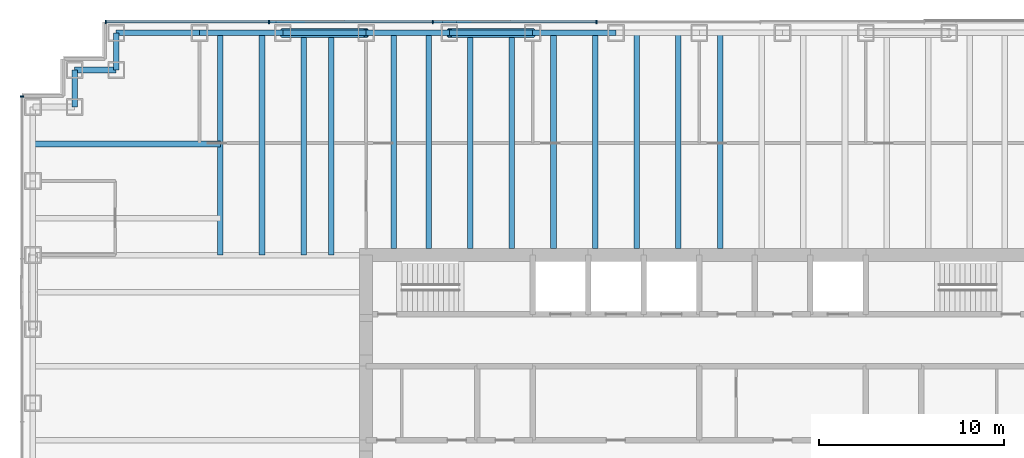
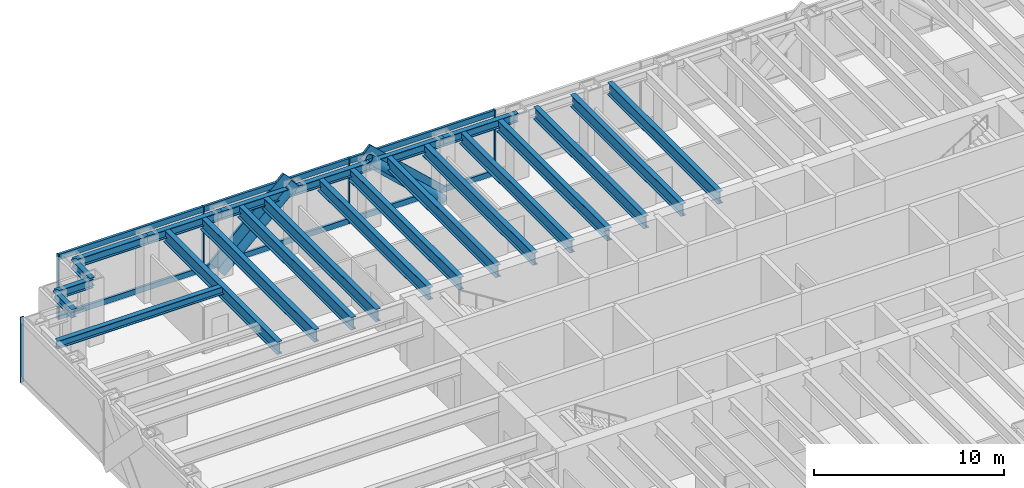
# One storey, part 6 of 17: 23 beams, 15 members, 2 elements without a shape of their own.
"""IFC4 building model written with IfcOpenShell, lengths in metres."""

from ifc_helpers import new_model, si_unit, direction, frame, origin, origin_2d, place, context, subcontext, project, spatial, rectangle, hollow_circle, i_section, extrude, material, material_profile, profile_set, type_object, element, aggregate, save


model = new_model("IFC4")

# Units and contexts
model_context = context("Model", 3, precision=1e-05, world=origin(), true_north=direction((0.0, 1.0)))
body_context = subcontext(model_context, "Body", "Model", "MODEL_VIEW")
ifc_project = project(units=[si_unit("LENGTHUNIT", "METRE"), si_unit("AREAUNIT", "SQUARE_METRE"), si_unit("VOLUMEUNIT", "CUBIC_METRE"), si_unit("PLANEANGLEUNIT", "RADIAN"), si_unit("MASSUNIT", "GRAM", prefix="KILO")], contexts=[model_context])

# Site, building, storey
site_placement = place(None, origin())
site = spatial("IfcSite", under=ifc_project, at=site_placement, CompositionType="ELEMENT")
building_placement = place(site_placement, origin())
building = spatial("IfcBuilding", under=site, at=building_placement, Name="Rheinbord Bourse Tower", CompositionType="ELEMENT")
storey_placement = place(building_placement, frame((0.0, 0.0, 283.699951171875)))
storey = spatial("IfcBuildingStorey", under=building, at=storey_placement, Name="L64", CompositionType="ELEMENT", Elevation=283.699951171875)

# Curtain wall, members
ifc_material_1 = material(Name="Dark glass and black aluminium", Category="aluminium")
curtain_wall_type = type_object("IfcCurtainWallType", Name="CW3 DARK GLASS CURTAIN WALL", PredefinedType="USERDEFINED", material=ifc_material_1)
curtain_wall_1_placement = place(storey_placement, origin())
curtain_wall_1 = element("IfcCurtainWall", 1, at=curtain_wall_1_placement, inside=storey, type_object=curtain_wall_type, Name="Curtain wall CW3 N L64", ObjectType="UNITISED CURTAIN WALL", PredefinedType="USERDEFINED")
ifc_material_2 = material(Name="Black anodised aluminium", Category="aluminium")
ifc_material_profile_1 = material_profile(ifc_material_2, rectangle(XDim=0.14990234375, YDim=1.10791015625, at=origin_2d()), Name="CW3 DIAGONAL MULLION 1108x150")
ifc_profile_set_1 = profile_set([ifc_material_profile_1], Name="Black anodised aluminium")
member_type_1 = type_object("IfcMemberType", Name="CW3 BLACK DIAGONAL MULLION", PredefinedType="USERDEFINED", material=ifc_profile_set_1)
member_1_placement = place(storey_placement, frame((27.0, 44.60009765625, 0.0), z_axis=(-0.73105922506, 0.0, 0.682314010889), x_axis=(0.0, -1.0, 0.0)))
member_1 = element("IfcMember", 2, at=member_1_placement, type_object=member_type_1, Name="CW3 diagonal mullion b", ObjectType="DIAGONAL MULLION", PredefinedType="USERDEFINED", context=body_context, shape_type="SweptSolid", body=[
    extrude(rectangle(XDim=0.14990234375, YDim=1.10791015625, at=origin_2d()), origin(), (0.0, 0.0, 1.0), 6.155517578125),
])
member_2_placement = place(storey_placement, frame((13.5, 44.60009765625, 0.0), z_axis=(0.73105922506, 0.0, 0.682314010889), x_axis=(0.0, 1.0, 0.0)))
member_2 = element("IfcMember", 3, at=member_2_placement, type_object=member_type_1, Name="CW3 diagonal mullion d", ObjectType="DIAGONAL MULLION", PredefinedType="USERDEFINED", context=body_context, shape_type="SweptSolid", body=[
    extrude(rectangle(XDim=0.14990234375, YDim=1.10791015625, at=origin_2d()), origin(), (0.0, 0.0, 1.0), 6.155517578125),
])
ifc_material_3 = material(Name="Black anodised aluminium", Category="aluminium")
ifc_material_profile_2 = material_profile(ifc_material_3, rectangle(XDim=0.199951171875, YDim=0.06494140625, at=origin_2d()), Name="CW3 MULLION 65x200")
ifc_profile_set_2 = profile_set([ifc_material_profile_2], Name="Black anodised aluminium")
member_type_2 = type_object("IfcMemberType", Name="CW3 BLACK MULLION", PredefinedType="MULLION", material=ifc_profile_set_2)
member_3_placement = place(storey_placement, frame((30.449951171875, 44.60009765625, 0.0), z_axis=(0.0, 0.0, 1.0), x_axis=(0.0, -1.0, 0.0)))
member_3 = element("IfcMember", 4, at=member_3_placement, type_object=member_type_2, Name="CW3 mullion 5", PredefinedType="MULLION", context=body_context, shape_type="SweptSolid", body=[
    extrude(rectangle(XDim=0.199951171875, YDim=0.06494140625, at=origin_2d()), origin(), (0.0, 0.0, 1.0), 4.199951171875),
])
member_4_placement = place(storey_placement, frame((21.60009765625, 44.60009765625, 0.0), z_axis=(0.0, 0.0, 1.0), x_axis=(0.0, -1.0, 0.0)))
member_4 = element("IfcMember", 5, at=member_4_placement, type_object=member_type_2, Name="CW3 mullion 6", PredefinedType="MULLION", context=body_context, shape_type="SweptSolid", body=[
    extrude(rectangle(XDim=0.199951171875, YDim=0.06494140625, at=origin_2d()), origin(), (0.0, 0.0, 1.0), 4.199951171875),
])
member_5_placement = place(storey_placement, frame((12.75, 44.60009765625, 0.0), z_axis=(0.0, 0.0, 1.0), x_axis=(0.0, -1.0, 0.0)))
member_5 = element("IfcMember", 6, at=member_5_placement, type_object=member_type_2, Name="CW3 mullion 7", PredefinedType="MULLION", context=body_context, shape_type="SweptSolid", body=[
    extrude(rectangle(XDim=0.199951171875, YDim=0.06494140625, at=origin_2d()), origin(), (0.0, 0.0, 1.0), 4.199951171875),
])
member_6_placement = place(storey_placement, frame((3.9326171875, 44.60009765625, 0.0), z_axis=(0.0, 0.0, 1.0), x_axis=(0.0, -1.0, 0.0)))
member_6 = element("IfcMember", 7, at=member_6_placement, type_object=member_type_2, Name="CW3 mullion 8", PredefinedType="MULLION", context=body_context, shape_type="SweptSolid", body=[
    extrude(rectangle(XDim=0.199951171875, YDim=0.06494140625, at=origin_2d()), origin(), (0.0, 0.0, 1.0), 4.199951171875),
])

# Curtain wall, member
curtain_wall_2_placement = place(storey_placement, origin())
curtain_wall_2 = element("IfcCurtainWall", 8, at=curtain_wall_2_placement, inside=storey, type_object=curtain_wall_type, Name="Curtain wall CW3 W L64", ObjectType="UNITISED CURTAIN WALL", PredefinedType="USERDEFINED")
member_7_placement = place(storey_placement, frame((-0.60009765625, 40.5673828125, 0.0), z_axis=(0.0, 0.0, 1.0), x_axis=(1.0, 0.0, 0.0)))
member_7 = element("IfcMember", 9, at=member_7_placement, type_object=member_type_2, Name="CW3 mullion 1", PredefinedType="MULLION", context=body_context, shape_type="SweptSolid", body=[
    extrude(rectangle(XDim=0.199951171875, YDim=0.06494140625, at=origin_2d()), origin(), (0.0, 0.0, 1.0), 4.199951171875),
])
aggregate(curtain_wall_2, [member_7])

# Member
ifc_material_4 = material(Name="Black anodised aluminium", Category="aluminium")
ifc_material_profile_3 = material_profile(ifc_material_4, rectangle(XDim=0.14990234375, YDim=0.35009765625, at=origin_2d()), Name="CW3 TRANSOM 350x150")
ifc_profile_set_3 = profile_set([ifc_material_profile_3], Name="Black anodised aluminium")
member_type_3 = type_object("IfcMemberType", Name="CW3 BLACK TRANSOM", PredefinedType="USERDEFINED", material=ifc_profile_set_3)
member_8_placement = place(storey_placement, frame((30.41748046875, 44.60009765625, 0.175048828125), z_axis=(-1.0, 0.0, 0.0), x_axis=(0.0, -1.0, 0.0)))
member_8 = element("IfcMember", 10, at=member_8_placement, type_object=member_type_3, Name="CW3 transom 5.1", ObjectType="TRANSOM", PredefinedType="USERDEFINED", context=body_context, shape_type="SweptSolid", body=[
    extrude(rectangle(XDim=0.14990234375, YDim=0.35009765625, at=origin_2d()), origin(), (0.0, 0.0, 1.0), 8.784912109375),
])

member_9_placement = place(storey_placement, frame((30.41748046875, 44.60009765625, 4.025146484375), z_axis=(-1.0, 0.0, 0.0), x_axis=(0.0, -1.0, 0.0)))
member_9 = element("IfcMember", 11, at=member_9_placement, type_object=member_type_3, Name="CW3 transom 5.2", ObjectType="TRANSOM", PredefinedType="USERDEFINED", context=body_context, shape_type="SweptSolid", body=[
    extrude(rectangle(XDim=0.14990234375, YDim=0.35009765625, at=origin_2d()), origin(), (0.0, 0.0, 1.0), 8.784912109375),
])

member_10_placement = place(storey_placement, frame((21.5673828125, 44.60009765625, 0.175048828125), z_axis=(-1.0, 0.0, 0.0), x_axis=(0.0, -1.0, 0.0)))
member_10 = element("IfcMember", 12, at=member_10_placement, type_object=member_type_3, Name="CW3 transom 6.1", ObjectType="TRANSOM", PredefinedType="USERDEFINED", context=body_context, shape_type="SweptSolid", body=[
    extrude(rectangle(XDim=0.14990234375, YDim=0.35009765625, at=origin_2d()), origin(), (0.0, 0.0, 1.0), 8.784912109375),
])

member_11_placement = place(storey_placement, frame((21.5673828125, 44.60009765625, 4.025146484375), z_axis=(-1.0, 0.0, 0.0), x_axis=(0.0, -1.0, 0.0)))
member_11 = element("IfcMember", 13, at=member_11_placement, type_object=member_type_3, Name="CW3 transom 6.2", ObjectType="TRANSOM", PredefinedType="USERDEFINED", context=body_context, shape_type="SweptSolid", body=[
    extrude(rectangle(XDim=0.14990234375, YDim=0.35009765625, at=origin_2d()), origin(), (0.0, 0.0, 1.0), 8.784912109375),
])

member_12_placement = place(storey_placement, frame((12.717529296875, 44.60009765625, 0.175048828125), z_axis=(-1.0, 0.0, 0.0), x_axis=(0.0, -1.0, 0.0)))
member_12 = element("IfcMember", 14, at=member_12_placement, type_object=member_type_3, Name="CW3 transom 7.1", ObjectType="TRANSOM", PredefinedType="USERDEFINED", context=body_context, shape_type="SweptSolid", body=[
    extrude(rectangle(XDim=0.14990234375, YDim=0.35009765625, at=origin_2d()), origin(), (0.0, 0.0, 1.0), 8.75244140625),
])

member_13_placement = place(storey_placement, frame((12.717529296875, 44.60009765625, 4.025146484375), z_axis=(-1.0, 0.0, 0.0), x_axis=(0.0, -1.0, 0.0)))
member_13 = element("IfcMember", 15, at=member_13_placement, type_object=member_type_3, Name="CW3 transom 7.2", ObjectType="TRANSOM", PredefinedType="USERDEFINED", context=body_context, shape_type="SweptSolid", body=[
    extrude(rectangle(XDim=0.14990234375, YDim=0.35009765625, at=origin_2d()), origin(), (0.0, 0.0, 1.0), 8.75244140625),
])

aggregate(curtain_wall_1, [member_3, member_4, member_5, member_6, member_8, member_9, member_10, member_11, member_12, member_13, member_1, member_2])

# Beams
ifc_material_5 = material(Name="Steel S460", Category="steel")
ifc_material_profile_4 = material_profile(ifc_material_5, i_section(OverallWidth=0.300048828125, OverallDepth=0.800048828125, WebThickness=0.017578125, FlangeThickness=0.032958984375, at=origin_2d()), Name="HEB 800")
ifc_profile_set_4 = profile_set([ifc_material_profile_4], Name="Steel S460")
beam_type_1 = type_object("IfcBeamType", Name="FLOOR BEAM HEB 800", PredefinedType="BEAM", material=ifc_profile_set_4)
for number, where, z_axis, x_axis, name in (
    (16, (10.125, 44.0, 3.64013671875), (0.0, -1.0, 0.0), (1.0, 0.0, 0.0), "Floor beam N-9a L65"),
    (17, (12.375, 44.0, 3.64013671875), (0.0, -1.0, 0.0), (1.0, 0.0, 0.0), "Floor beam N-9b L65"),
    (18, (14.625, 44.0, 3.64013671875), (0.0, -1.0, 0.0), (1.0, 0.0, 0.0), "Floor beam N-13.5a L65"),
    (19, (16.125, 44.0, 3.64013671875), (0.0, -1.0, 0.0), (1.0, 0.0, 0.0), "Floor beam N-13.5b L65"),
):
    element("IfcBeam", number, at=place(storey_placement, frame(where, z_axis=z_axis, x_axis=x_axis)), inside=storey, type_object=beam_type_1, Name=name, PredefinedType="BEAM", context=body_context, shape_type="SweptSolid", body=[
        extrude(i_section(OverallWidth=0.300048828125, OverallDepth=0.800048828125, WebThickness=0.017578125, FlangeThickness=0.032958984375, at=origin_2d()), origin(), (0.0, 0.0, 1.0), 12.0),
    ])
for number, where, z_axis, x_axis, name in (
    (20, (19.5, 44.0, 3.64013671875), (0.0, -1.0, 0.0), (1.0, 0.0, 0.0), "Floor beam N-18a L65"),
    (21, (21.375, 44.0, 3.64013671875), (0.0, -1.0, 0.0), (1.0, 0.0, 0.0), "Floor beam N-18b L65"),
    (22, (23.625, 44.0, 3.64013671875), (0.0, -1.0, 0.0), (1.0, 0.0, 0.0), "Floor beam N-22.5a L65"),
    (23, (25.875, 44.0, 3.64013671875), (0.0, -1.0, 0.0), (1.0, 0.0, 0.0), "Floor beam N-22.5b L65"),
    (24, (28.125, 44.0, 3.64013671875), (0.0, -1.0, 0.0), (1.0, 0.0, 0.0), "Floor beam N-27a L65"),
    (25, (30.375, 44.0, 3.64013671875), (0.0, -1.0, 0.0), (1.0, 0.0, 0.0), "Floor beam N-27b L65"),
    (26, (32.625, 44.0, 3.64013671875), (0.0, -1.0, 0.0), (1.0, 0.0, 0.0), "Floor beam N-31.5a L65"),
    (27, (34.875, 44.0, 3.64013671875), (0.0, -1.0, 0.0), (1.0, 0.0, 0.0), "Floor beam N-31.5b L65"),
    (28, (37.125, 44.0, 3.64013671875), (0.0, -1.0, 0.0), (1.0, 0.0, 0.0), "Floor beam N-36a L65"),
):
    element("IfcBeam", number, at=place(storey_placement, frame(where, z_axis=z_axis, x_axis=x_axis)), inside=storey, type_object=beam_type_1, Name=name, PredefinedType="BEAM", context=body_context, shape_type="SweptSolid", body=[
        extrude(i_section(OverallWidth=0.300048828125, OverallDepth=0.800048828125, WebThickness=0.017578125, FlangeThickness=0.032958984375, at=origin_2d()), origin(), (0.0, 0.0, 1.0), 11.64990234375),
    ])

# Members
ifc_material_6 = material(Name="Steel S460", Category="steel")
ifc_material_profile_5 = material_profile(ifc_material_6, hollow_circle(Radius=0.25390625, WallThickness=0.030029296875, at=origin_2d()), Name="CHS 508x30")
ifc_profile_set_5 = profile_set([ifc_material_profile_5], Name="Steel S460")
member_type_4 = type_object("IfcMemberType", Name="MEGABRACE CHS 508x30", PredefinedType="BRACE", material=ifc_profile_set_5)
for number, where, z_axis, x_axis, name in (
    (29, (27.0, 44.0, 0.0), (-0.73105922506, 0.0, 0.682314010889), (0.0, -1.0, 0.0), "Megabrace N face line b L64"),
    (30, (13.5, 44.0, 0.0), (0.73105922506, 0.0, 0.682314010889), (0.0, 1.0, 0.0), "Megabrace N face line d L64"),
):
    element("IfcMember", number, at=place(storey_placement, frame(where, z_axis=z_axis, x_axis=x_axis)), inside=storey, type_object=member_type_4, Name=name, PredefinedType="BRACE", context=body_context, shape_type="SweptSolid", body=[
        extrude(hollow_circle(Radius=0.25390625, WallThickness=0.030029296875, at=origin_2d()), origin(), (0.0, 0.0, 1.0), 6.155517578125),
    ])

# Beams
ifc_material_7 = material(Name="Steel S460", Category="steel")
ifc_material_profile_6 = material_profile(ifc_material_7, i_section(OverallWidth=0.300048828125, OverallDepth=0.550048828125, WebThickness=0.014892578125, FlangeThickness=0.029052734375, at=origin_2d()), Name="HEB 550")
ifc_profile_set_6 = profile_set([ifc_material_profile_6], Name="Steel S460")
beam_type_2 = type_object("IfcBeamType", Name="SPANDREL HEB 550", PredefinedType="SPANDREL", material=ifc_profile_set_6)
for number, where, z_axis, x_axis, name in (
    (31, (31.5, 44.0, 3.76513671875), (-1.0, 0.0, 0.0), (0.0, -1.0, 0.0), "Spandrel N-31.5-N-27 under L65"),
    (32, (27.0, 44.0, 3.76513671875), (-1.0, 0.0, 0.0), (0.0, -1.0, 0.0), "Spandrel N-27-N-22.5 under L65"),
    (33, (22.5, 44.0, 3.76513671875), (-1.0, 0.0, 0.0), (0.0, -1.0, 0.0), "Spandrel N-22.5-N-18 under L65"),
    (34, (18.0, 44.0, 3.76513671875), (-1.0, 0.0, 0.0), (0.0, -1.0, 0.0), "Spandrel N-18-N-13.5 under L65"),
    (35, (13.5, 44.0, 3.76513671875), (-1.0, 0.0, 0.0), (0.0, -1.0, 0.0), "Spandrel N-13.5-N-9 under L65"),
    (36, (9.0, 44.0, 3.76513671875), (-1.0, 0.0, 0.0), (0.0, -1.0, 0.0), "Spandrel N-9-NW-E under L65"),
):
    element("IfcBeam", number, at=place(storey_placement, frame(where, z_axis=z_axis, x_axis=x_axis)), inside=storey, type_object=beam_type_2, Name=name, PredefinedType="SPANDREL", context=body_context, shape_type="SweptSolid", body=[
        extrude(i_section(OverallWidth=0.300048828125, OverallDepth=0.550048828125, WebThickness=0.014892578125, FlangeThickness=0.029052734375, at=origin_2d()), origin(), (0.0, 0.0, 1.0), 4.5),
    ])
beam_1_placement = place(storey_placement, frame((4.5, 44.0, 3.76513671875), z_axis=(0.0, -1.0, 0.0), x_axis=(1.0, 0.0, 0.0)))
element("IfcBeam", 37, at=beam_1_placement, inside=storey, type_object=beam_type_2, Name="Spandrel NW-E-NW-D under L65", PredefinedType="SPANDREL", context=body_context, shape_type="SweptSolid", body=[
    extrude(i_section(OverallWidth=0.300048828125, OverallDepth=0.550048828125, WebThickness=0.014892578125, FlangeThickness=0.029052734375, at=origin_2d()), origin(), (0.0, 0.0, 1.0), 2.0),
])
beam_2_placement = place(storey_placement, frame((4.5, 42.0, 3.76513671875), z_axis=(-1.0, 0.0, 0.0), x_axis=(0.0, -1.0, 0.0)))
element("IfcBeam", 38, at=beam_2_placement, inside=storey, type_object=beam_type_2, Name="Spandrel NW-D-NW-C under L65", PredefinedType="SPANDREL", context=body_context, shape_type="SweptSolid", body=[
    extrude(i_section(OverallWidth=0.300048828125, OverallDepth=0.550048828125, WebThickness=0.014892578125, FlangeThickness=0.029052734375, at=origin_2d()), origin(), (0.0, 0.0, 1.0), 2.25),
])
beam_3_placement = place(storey_placement, frame((2.25, 42.0, 3.76513671875), z_axis=(0.0, -1.0, 0.0), x_axis=(1.0, 0.0, 0.0)))
element("IfcBeam", 39, at=beam_3_placement, inside=storey, type_object=beam_type_2, Name="Spandrel NW-C-NW-B under L65", PredefinedType="SPANDREL", context=body_context, shape_type="SweptSolid", body=[
    extrude(i_section(OverallWidth=0.300048828125, OverallDepth=0.550048828125, WebThickness=0.014892578125, FlangeThickness=0.029052734375, at=origin_2d()), origin(), (0.0, 0.0, 1.0), 2.0),
])
ifc_material_8 = material(Name="Steel S460", Category="steel")
ifc_material_profile_7 = material_profile(ifc_material_8, i_section(OverallWidth=0.300048828125, OverallDepth=0.5, WebThickness=0.014404296875, FlangeThickness=0.028076171875, at=origin_2d()), Name="HEB 500")
ifc_profile_set_7 = profile_set([ifc_material_profile_7], Name="Steel S460")
beam_type_3 = type_object("IfcBeamType", Name="TIE BEAM HEB 500", PredefinedType="JOIST", material=ifc_profile_set_7)
beam_4_placement = place(storey_placement, frame((0.0, 38.0, 3.7900390625), z_axis=(1.0, 0.0, 0.0), x_axis=(0.0, 1.0, 0.0)))
element("IfcBeam", 40, at=beam_4_placement, inside=storey, type_object=beam_type_3, Name="Tie west 38 L65", PredefinedType="JOIST", context=body_context, shape_type="SweptSolid", body=[
    extrude(i_section(OverallWidth=0.300048828125, OverallDepth=0.5, WebThickness=0.014404296875, FlangeThickness=0.028076171875, at=origin_2d()), origin(), (0.0, 0.0, 1.0), 10.125),
])

save(model, "model.ifc")
